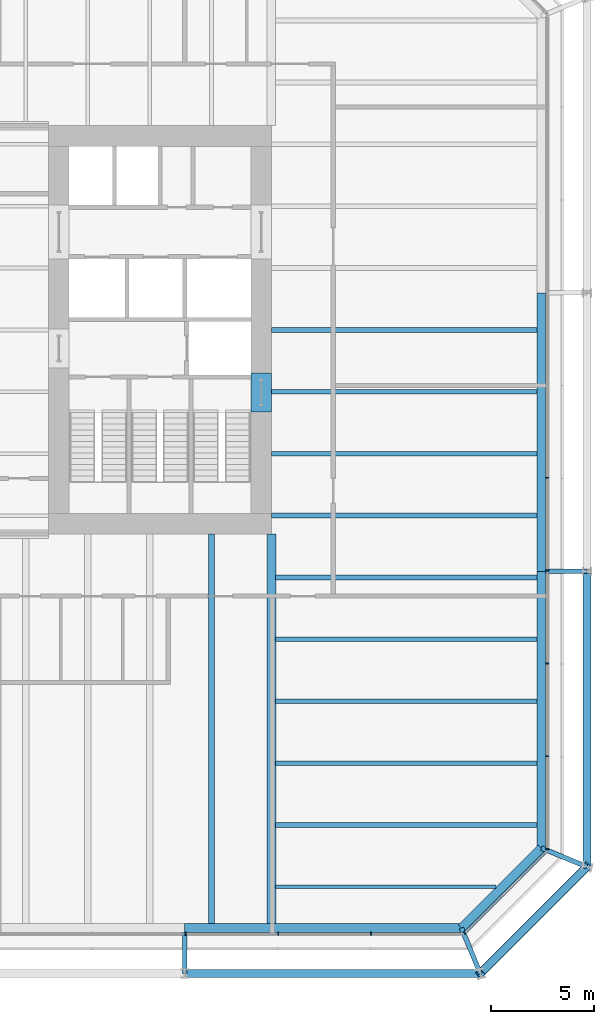
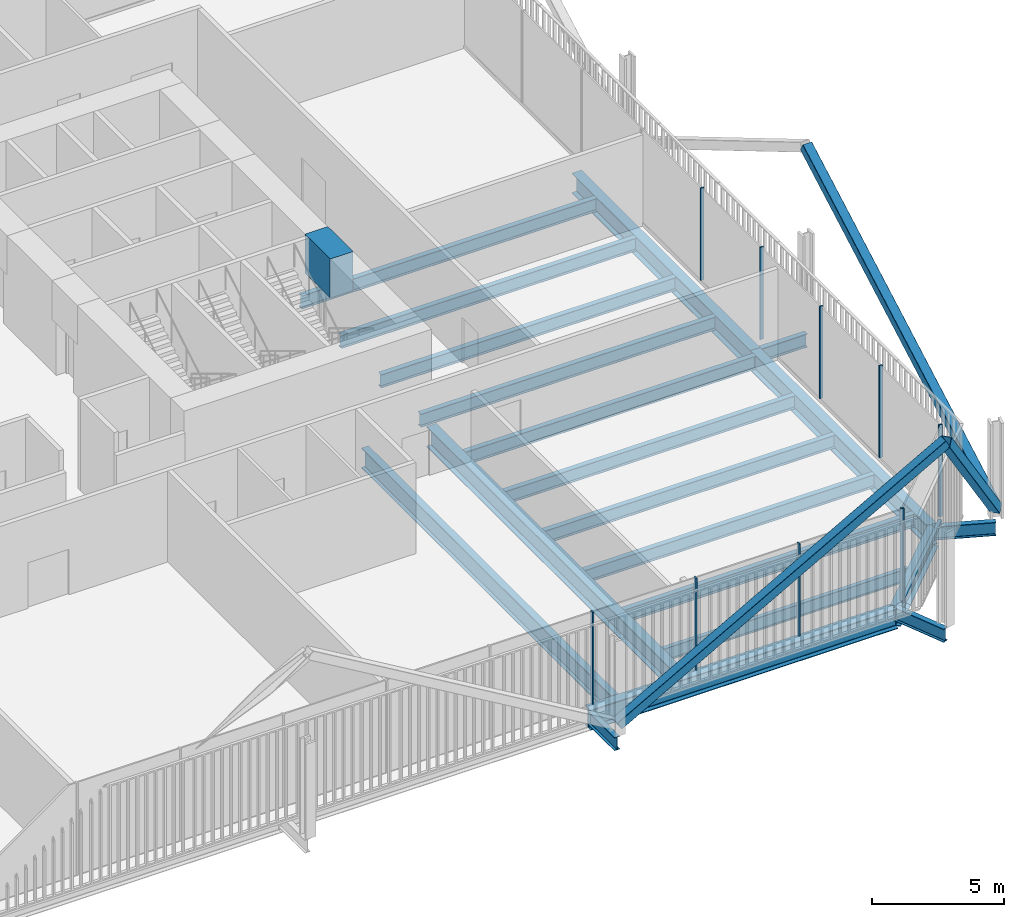
# One storey, part 8 of 21: 21 beams, 13 members, 3 elements without a shape of their own.
"""IFC4 building model written with IfcOpenShell, lengths in metres."""

from ifc_helpers import new_model, si_unit, direction, frame, origin, origin_2d, place, context, subcontext, project, spatial, rectangle, hollow_rectangle, i_section, extrude, material, layer, layer_set, material_profile, profile_set, type_object, element, aggregate, save


model = new_model("IFC4")

# Units and contexts
model_context = context("Model", 3, precision=1e-05, world=origin(), true_north=direction((0.0, 1.0)))
body_context = subcontext(model_context, "Body", "Model", "MODEL_VIEW")
ifc_project = project(units=[si_unit("LENGTHUNIT", "METRE"), si_unit("AREAUNIT", "SQUARE_METRE"), si_unit("VOLUMEUNIT", "CUBIC_METRE"), si_unit("PLANEANGLEUNIT", "RADIAN"), si_unit("MASSUNIT", "GRAM", prefix="KILO")], contexts=[model_context])

# Site, building, storey
site_placement = place(None, origin())
site = spatial("IfcSite", under=ifc_project, at=site_placement, CompositionType="ELEMENT")
building_placement = place(site_placement, origin())
building = spatial("IfcBuilding", under=site, at=building_placement, Name="Millrace Tower", CompositionType="ELEMENT")
storey_placement = place(building_placement, frame((0.0, 0.0, 82.0)))
storey = spatial("IfcBuildingStorey", under=building, at=storey_placement, Name="L18", CompositionType="ELEMENT", Elevation=82.0)

# Curtain wall, members
ifc_material_1 = material(Name="Aluminium and glass", Category="aluminium")
ifc_layer = layer(ifc_material_1, 0.14990234375)
ifc_layer_set = layer_set([ifc_layer], Name="Aluminium and glass")
curtain_wall_type = type_object("IfcCurtainWallType", Name="CW-3 telecom floor curtain wall", PredefinedType="NOTDEFINED", material=ifc_layer_set)
placement = place(storey_placement, origin())
curtain_wall_1 = element("IfcCurtainWall", 1, at=placement, inside=storey, type_object=curtain_wall_type, Name="Curtain wall B-F02 L18", PredefinedType="NOTDEFINED")
ifc_material_2 = material(Name="Aluminium", Category="aluminium")
ifc_material_profile_1 = material_profile(ifc_material_2, rectangle(XDim=0.06494140625, YDim=0.14990234375, at=origin_2d()))
ifc_profile_set_1 = profile_set([ifc_material_profile_1], Name="Aluminium")
member_type_1 = type_object("IfcMemberType", Name="CW-3 telecom floor curtain wall mullion", PredefinedType="MULLION", material=ifc_profile_set_1)
member_1_placement = place(storey_placement, frame((10.732421875, -29.27490234375, 0.14990234375), z_axis=(0.0, 0.0, 1.0), x_axis=(1.0, 0.0, 0.0)))
member_1 = element("IfcMember", 2, at=member_1_placement, type_object=member_type_1, Name="CW3 mullion B-F02.7", PredefinedType="MULLION", context=body_context, shape_type="SweptSolid", body=[
    extrude(rectangle(XDim=0.06494140625, YDim=0.14990234375, at=origin_2d()), origin(), (0.0, 0.0, 1.0), 4.25),
])
member_2_placement = place(storey_placement, frame((15.232421875, -29.27490234375, 0.14990234375), z_axis=(0.0, 0.0, 1.0), x_axis=(1.0, 0.0, 0.0)))
member_2 = element("IfcMember", 3, at=member_2_placement, type_object=member_type_1, Name="CW3 mullion B-F02.8", PredefinedType="MULLION", context=body_context, shape_type="SweptSolid", body=[
    extrude(rectangle(XDim=0.06494140625, YDim=0.14990234375, at=origin_2d()), origin(), (0.0, 0.0, 1.0), 4.25),
])
member_3_placement = place(storey_placement, frame((19.732421875, -29.27490234375, 0.14990234375), z_axis=(0.0, 0.0, 1.0), x_axis=(1.0, 0.0, 0.0)))
member_3 = element("IfcMember", 4, at=member_3_placement, type_object=member_type_1, Name="CW3 mullion B-F02.9", PredefinedType="MULLION", context=body_context, shape_type="SweptSolid", body=[
    extrude(rectangle(XDim=0.06494140625, YDim=0.14990234375, at=origin_2d()), origin(), (0.0, 0.0, 1.0), 4.25),
])
aggregate(curtain_wall_1, [member_1, member_2, member_3])

# Curtain wall, member
curtain_wall_2 = element("IfcCurtainWall", 5, at=placement, inside=storey, type_object=curtain_wall_type, Name="Curtain wall B-F03 L18", PredefinedType="NOTDEFINED")
member_4_placement = place(storey_placement, frame((24.276123046875, -29.22998046875, 0.14990234375), z_axis=(0.0, 0.0, 1.0), x_axis=(0.707106781187, 0.707106781187, 0.0)))
member_4 = element("IfcMember", 6, at=member_4_placement, type_object=member_type_1, Name="CW3 mullion B-F03.1", PredefinedType="MULLION", context=body_context, shape_type="SweptSolid", body=[
    extrude(rectangle(XDim=0.06494140625, YDim=0.14990234375, at=origin_2d()), origin(), (0.0, 0.0, 1.0), 4.25),
])

# Curtain wall, members
curtain_wall_3 = element("IfcCurtainWall", 7, at=placement, inside=storey, type_object=curtain_wall_type, Name="Curtain wall B-F04 L18", PredefinedType="NOTDEFINED")
member_5_placement = place(storey_placement, frame((28.27490234375, -25.16748046875, 0.14990234375), z_axis=(0.0, 0.0, 1.0), x_axis=(0.0, 1.0, 0.0)))
member_5 = element("IfcMember", 8, at=member_5_placement, type_object=member_type_1, Name="CW3 mullion B-F04.1", PredefinedType="MULLION", context=body_context, shape_type="SweptSolid", body=[
    extrude(rectangle(XDim=0.06494140625, YDim=0.14990234375, at=origin_2d()), origin(), (0.0, 0.0, 1.0), 4.25),
])
member_6_placement = place(storey_placement, frame((28.27490234375, -20.66748046875, 0.14990234375), z_axis=(0.0, 0.0, 1.0), x_axis=(0.0, 1.0, 0.0)))
member_6 = element("IfcMember", 9, at=member_6_placement, type_object=member_type_1, Name="CW3 mullion B-F04.2", PredefinedType="MULLION", context=body_context, shape_type="SweptSolid", body=[
    extrude(rectangle(XDim=0.06494140625, YDim=0.14990234375, at=origin_2d()), origin(), (0.0, 0.0, 1.0), 4.25),
])
member_7_placement = place(storey_placement, frame((28.27490234375, -16.16748046875, 0.14990234375), z_axis=(0.0, 0.0, 1.0), x_axis=(0.0, 1.0, 0.0)))
member_7 = element("IfcMember", 10, at=member_7_placement, type_object=member_type_1, Name="CW3 mullion B-F04.3", PredefinedType="MULLION", context=body_context, shape_type="SweptSolid", body=[
    extrude(rectangle(XDim=0.06494140625, YDim=0.14990234375, at=origin_2d()), origin(), (0.0, 0.0, 1.0), 4.25),
])
member_8_placement = place(storey_placement, frame((28.27490234375, -11.66748046875, 0.14990234375), z_axis=(0.0, 0.0, 1.0), x_axis=(0.0, 1.0, 0.0)))
member_8 = element("IfcMember", 11, at=member_8_placement, type_object=member_type_1, Name="CW3 mullion B-F04.4", PredefinedType="MULLION", context=body_context, shape_type="SweptSolid", body=[
    extrude(rectangle(XDim=0.06494140625, YDim=0.14990234375, at=origin_2d()), origin(), (0.0, 0.0, 1.0), 4.25),
])
member_9_placement = place(storey_placement, frame((28.27490234375, -7.16748046875, 0.14990234375), z_axis=(0.0, 0.0, 1.0), x_axis=(0.0, 1.0, 0.0)))
member_9 = element("IfcMember", 12, at=member_9_placement, type_object=member_type_1, Name="CW3 mullion B-F04.5", PredefinedType="MULLION", context=body_context, shape_type="SweptSolid", body=[
    extrude(rectangle(XDim=0.06494140625, YDim=0.14990234375, at=origin_2d()), origin(), (0.0, 0.0, 1.0), 4.25),
])
aggregate(curtain_wall_3, [member_5, member_6, member_7, member_8, member_9])

# Member
ifc_material_3 = material(Name="Aluminium", Category="aluminium")
ifc_material_profile_2 = material_profile(ifc_material_3, rectangle(XDim=0.14990234375, YDim=0.14990234375, at=origin_2d()))
ifc_profile_set_2 = profile_set([ifc_material_profile_2], Name="Aluminium")
member_type_2 = type_object("IfcMemberType", Name="CW-3 telecom floor curtain wall transom", PredefinedType="USERDEFINED", material=ifc_profile_set_2)
member_10_placement = place(storey_placement, frame((24.32373046875, -29.182373046875, 0.074951171875), z_axis=(0.707106781187, 0.707106781187, 0.0), x_axis=(-0.707106781187, 0.707106781187, 0.0)))
member_10 = element("IfcMember", 13, at=member_10_placement, type_object=member_type_2, Name="CW3 transom B-F03.1", ObjectType="TRANSOM", PredefinedType="USERDEFINED", context=body_context, shape_type="SweptSolid", body=[
    extrude(rectangle(XDim=0.14990234375, YDim=0.14990234375, at=origin_2d()), origin(), (0.0, 0.0, 1.0), 5.45703125),
])

aggregate(curtain_wall_2, [member_4, member_10])

# Beam
ifc_material_4 = material(Name="Concrete C80", Category="concrete")
ifc_material_profile_3 = material_profile(ifc_material_4, rectangle(XDim=1.0, YDim=1.800048828125, at=origin_2d()))
ifc_profile_set_3 = profile_set([ifc_material_profile_3], Name="Concrete C80")
beam_type_1 = type_object("IfcBeamType", Name="Coupling beam 1000 x 1800 Concrete C80, 1300 opening", PredefinedType="BEAM", material=ifc_profile_set_3)
beam_1_placement = place(storey_placement, frame((14.39990234375, -2.080078125, 3.300048828125), z_axis=(0.0, -1.0, 0.0), x_axis=(1.0, 0.0, 0.0)))
element("IfcBeam", 14, at=beam_1_placement, inside=storey, type_object=beam_type_1, Name="Coupling beam E L18", PredefinedType="BEAM", context=body_context, shape_type="SweptSolid", body=[
    extrude(rectangle(XDim=1.0, YDim=1.800048828125, at=origin_2d()), origin(), (0.0, 0.0, 1.0), 1.89990234375),
])

# Members
ifc_material_5 = material(Name="Steel ASTM A500 Grade C", Category="steel")
ifc_material_profile_4 = material_profile(ifc_material_5, hollow_rectangle(XDim=0.406494140625, YDim=0.406494140625, WallThickness=0.015869140625, InnerFilletRadius=0.008056640625, OuterFilletRadius=0.02392578125, at=origin_2d()))
ifc_profile_set_4 = profile_set([ifc_material_profile_4], Name="Steel ASTM A500 Grade C")
member_type_3 = type_object("IfcMemberType", Name="Exoskeleton brace HSS16x16x5/8", PredefinedType="BRACE", material=ifc_profile_set_4)
member_11_placement = place(storey_placement, frame((10.699951171875, -31.199951171875, 0.39990234375), z_axis=(0.873125840427, 0.0, 0.487494888976), x_axis=(0.0, 1.0, 0.0)))
element("IfcMember", 15, at=member_11_placement, inside=storey, type_object=member_type_3, Name="BRC-B-L18-04", PredefinedType="BRACE", context=body_context, shape_type="SweptSolid", body=[
    extrude(hollow_rectangle(XDim=0.406494140625, YDim=0.406494140625, WallThickness=0.015869140625, InnerFilletRadius=0.008056640625, OuterFilletRadius=0.02392578125, at=origin_2d()), origin(), (0.0, 0.0, 1.0), 16.410400390625),
])
member_12_placement = place(storey_placement, frame((30.199951171875, -26.0283203125, 0.39990234375), z_axis=(-0.477116280189, -0.477116280189, 0.738051563482), x_axis=(0.707106781187, -0.707106781187, 0.0)))
element("IfcMember", 16, at=member_12_placement, inside=storey, type_object=member_type_3, Name="BRC-B-L18-05", PredefinedType="BRACE", context=body_context, shape_type="SweptSolid", body=[
    extrude(hollow_rectangle(XDim=0.406494140625, YDim=0.406494140625, WallThickness=0.015869140625, InnerFilletRadius=0.008056640625, OuterFilletRadius=0.02392578125, at=origin_2d()), origin(), (0.0, 0.0, 1.0), 10.83935546875),
])
member_13_placement = place(storey_placement, frame((30.199951171875, -26.0283203125, 0.39990234375), z_axis=(0.0, 0.873125840427, 0.487494888976), x_axis=(-1.0, 0.0, 0.0)))
element("IfcMember", 17, at=member_13_placement, inside=storey, type_object=member_type_3, Name="BRC-B-L18-06", PredefinedType="BRACE", context=body_context, shape_type="SweptSolid", body=[
    extrude(hollow_rectangle(XDim=0.406494140625, YDim=0.406494140625, WallThickness=0.015869140625, InnerFilletRadius=0.008056640625, OuterFilletRadius=0.02392578125, at=origin_2d()), origin(), (0.0, 0.0, 1.0), 16.410400390625),
])

# Beams
ifc_material_6 = material(Name="Steel ASTM A992 Grade 50", Category="steel")
ifc_material_profile_5 = material_profile(ifc_material_6, i_section(OverallWidth=0.1787109375, OverallDepth=0.60205078125, WebThickness=0.010986328125, FlangeThickness=0.014892578125, FilletRadius=0.0126953125, at=origin_2d()))
ifc_profile_set_5 = profile_set([ifc_material_profile_5], Name="Steel ASTM A992 Grade 50")
beam_type_2 = type_object("IfcBeamType", Name="Floor beam W24x62", PredefinedType="JOIST", material=ifc_profile_set_5)
beam_2_placement = place(storey_placement, frame((15.11083984375, -27.0, -0.5009765625), z_axis=(1.0, 0.0, 0.0), x_axis=(0.0, 1.0, 0.0)))
element("IfcBeam", 18, at=beam_2_placement, inside=storey, type_object=beam_type_2, Name="BM-B-L18-S1-S002", PredefinedType="JOIST", context=body_context, shape_type="SweptSolid", body=[
    extrude(i_section(OverallWidth=0.1787109375, OverallDepth=0.60205078125, WebThickness=0.010986328125, FlangeThickness=0.014892578125, FilletRadius=0.0126953125, at=origin_2d()), origin(), (0.0, 0.0, 1.0), 10.67236328125),
])
ifc_material_7 = material(Name="Steel ASTM A992 Grade 50", Category="steel")
ifc_material_profile_6 = material_profile(ifc_material_7, i_section(OverallWidth=0.228271484375, OverallDepth=0.607177734375, WebThickness=0.01123046875, FlangeThickness=0.017333984375, FilletRadius=0.0126953125, at=origin_2d()))
ifc_profile_set_6 = profile_set([ifc_material_profile_6], Name="Steel ASTM A992 Grade 50")
beam_type_3 = type_object("IfcBeamType", Name="Floor beam W24x76", PredefinedType="JOIST", material=ifc_profile_set_6)
for number, where, z_axis, x_axis, name in (
    (19, (15.11083984375, -24.0, -0.50341796875), (1.0, 0.0, 0.0), (0.0, 1.0, 0.0), "BM-B-L18-S1-S004"),
    (20, (15.11083984375, -21.0, -0.50341796875), (1.0, 0.0, 0.0), (0.0, 1.0, 0.0), "BM-B-L18-S1-S006"),
    (21, (15.11083984375, -18.0, -0.50341796875), (1.0, 0.0, 0.0), (0.0, 1.0, 0.0), "BM-B-L18-S1-S008"),
    (22, (15.11083984375, -15.0, -0.50341796875), (1.0, 0.0, 0.0), (0.0, 1.0, 0.0), "BM-B-L18-S1-S010"),
    (23, (15.11083984375, -12.0, -0.50341796875), (1.0, 0.0, 0.0), (0.0, 1.0, 0.0), "BM-B-L18-S1-S012"),
):
    element("IfcBeam", number, at=place(storey_placement, frame(where, z_axis=z_axis, x_axis=x_axis)), inside=storey, type_object=beam_type_3, Name=name, PredefinedType="JOIST", context=body_context, shape_type="SweptSolid", body=[
        extrude(i_section(OverallWidth=0.228271484375, OverallDepth=0.607177734375, WebThickness=0.01123046875, FlangeThickness=0.017333984375, FilletRadius=0.0126953125, at=origin_2d()), origin(), (0.0, 0.0, 1.0), 12.670166015625),
    ])
for number, where, z_axis, x_axis, name in (
    (24, (14.89990234375, -9.0, -0.50341796875), (1.0, 0.0, 0.0), (0.0, 1.0, 0.0), "BM-B-L18-S1-S015"),
    (25, (14.89990234375, -6.0, -0.50341796875), (1.0, 0.0, 0.0), (0.0, 1.0, 0.0), "BM-B-L18-S1-S018"),
    (26, (14.89990234375, -3.0, -0.50341796875), (1.0, 0.0, 0.0), (0.0, 1.0, 0.0), "BM-B-L18-S1-S021"),
    (27, (14.89990234375, 0.0, -0.50341796875), (1.0, 0.0, 0.0), (0.0, 1.0, 0.0), "BM-B-L18-S1-S024"),
):
    element("IfcBeam", number, at=place(storey_placement, frame(where, z_axis=z_axis, x_axis=x_axis)), inside=storey, type_object=beam_type_3, Name=name, PredefinedType="JOIST", context=body_context, shape_type="SweptSolid", body=[
        extrude(i_section(OverallWidth=0.228271484375, OverallDepth=0.607177734375, WebThickness=0.01123046875, FlangeThickness=0.017333984375, FilletRadius=0.0126953125, at=origin_2d()), origin(), (0.0, 0.0, 1.0), 12.881103515625),
    ])
ifc_material_8 = material(Name="Steel ASTM A992 Grade 50", Category="steel")
ifc_material_profile_7 = material_profile(ifc_material_8, i_section(OverallWidth=0.307373046875, OverallDepth=0.927001953125, WebThickness=0.01953125, FlangeThickness=0.031982421875, FilletRadius=0.01904296875, at=origin_2d()))
ifc_profile_set_7 = profile_set([ifc_material_profile_7], Name="Steel ASTM A992 Grade 50")
beam_type_4 = type_object("IfcBeamType", Name="Floor beam W36x194", PredefinedType="JOIST", material=ifc_profile_set_7)
beam_3_placement = place(storey_placement, frame((12.0, -28.781005859375, -0.66357421875), z_axis=(0.0, 1.0, 0.0), x_axis=(-1.0, 0.0, 0.0)))
element("IfcBeam", 28, at=beam_3_placement, inside=storey, type_object=beam_type_4, Name="BM-B-L18-S1-S057", PredefinedType="JOIST", context=body_context, shape_type="SweptSolid", body=[
    extrude(i_section(OverallWidth=0.307373046875, OverallDepth=0.927001953125, WebThickness=0.01953125, FlangeThickness=0.031982421875, FilletRadius=0.01904296875, at=origin_2d()), origin(), (0.0, 0.0, 1.0), 18.881103515625),
])
ifc_material_9 = material(Name="Steel ASTM A992 Grade 50", Category="steel")
ifc_material_profile_8 = material_profile(ifc_material_9, i_section(OverallWidth=0.424072265625, OverallDepth=0.947509765625, WebThickness=0.02392578125, FlangeThickness=0.042724609375, FilletRadius=0.024169921875, at=origin_2d()))
ifc_profile_set_8 = profile_set([ifc_material_profile_8], Name="Steel ASTM A992 Grade 50")
beam_type_5 = type_object("IfcBeamType", Name="Girder medium span W36x302", PredefinedType="BEAM", material=ifc_profile_set_8)
beam_4_placement = place(storey_placement, frame((14.89990234375, -28.781005859375, -0.673828125), z_axis=(0.0, 1.0, 0.0), x_axis=(-1.0, 0.0, 0.0)))
element("IfcBeam", 29, at=beam_4_placement, inside=storey, type_object=beam_type_5, Name="BM-B-L18-S1-G061", PredefinedType="BEAM", context=body_context, shape_type="SweptSolid", body=[
    extrude(i_section(OverallWidth=0.424072265625, OverallDepth=0.947509765625, WebThickness=0.02392578125, FlangeThickness=0.042724609375, FilletRadius=0.024169921875, at=origin_2d()), origin(), (0.0, 0.0, 1.0), 18.881103515625),
])
ifc_material_10 = material(Name="Steel ASTM A992 Grade 50", Category="steel")
ifc_material_profile_9 = material_profile(ifc_material_10, i_section(OverallWidth=0.23046875, OverallDepth=0.6171875, WebThickness=0.01318359375, FlangeThickness=0.022216796875, FilletRadius=0.012939453125, at=origin_2d()))
ifc_profile_set_9 = profile_set([ifc_material_profile_9], Name="Steel ASTM A992 Grade 50")
beam_type_6 = type_object("IfcBeamType", Name="Link beam W24x94", PredefinedType="BEAM", material=ifc_profile_set_9)
beam_5_placement = place(storey_placement, frame((28.199951171875, -11.699951171875, -0.508544921875), z_axis=(1.0, 0.0, 0.0), x_axis=(0.0, 1.0, 0.0)))
element("IfcBeam", 30, at=beam_5_placement, inside=storey, type_object=beam_type_6, Name="LNK-B-L18-S1-11", PredefinedType="BEAM", context=body_context, shape_type="SweptSolid", body=[
    extrude(i_section(OverallWidth=0.23046875, OverallDepth=0.6171875, WebThickness=0.01318359375, FlangeThickness=0.022216796875, FilletRadius=0.012939453125, at=origin_2d()), origin(), (0.0, 0.0, 1.0), 2.0),
])
for number, where, z_axis, x_axis, name in (
    (31, (27.990478515625, -25.11328125, -0.508544921875), (0.923902368833, -0.382628295954, 0.0), (0.382628295954, 0.923902368833, 0.0), "LNK-B-L18-S1-12"),
    (32, (24.11328125, -28.990478515625, -0.508544921875), (0.382628295954, -0.923902368833, 0.0), (0.923902368833, 0.382628295954, 0.0), "LNK-B-L18-S1-13"),
):
    element("IfcBeam", number, at=place(storey_placement, frame(where, z_axis=z_axis, x_axis=x_axis)), inside=storey, type_object=beam_type_6, Name=name, PredefinedType="BEAM", context=body_context, shape_type="SweptSolid", body=[
        extrude(i_section(OverallWidth=0.23046875, OverallDepth=0.6171875, WebThickness=0.01318359375, FlangeThickness=0.022216796875, FilletRadius=0.012939453125, at=origin_2d()), origin(), (0.0, 0.0, 1.0), 2.391357421875),
    ])
beam_6_placement = place(storey_placement, frame((10.699951171875, -29.199951171875, -0.508544921875), z_axis=(0.0, -1.0, 0.0), x_axis=(1.0, 0.0, 0.0)))
element("IfcBeam", 33, at=beam_6_placement, inside=storey, type_object=beam_type_6, Name="LNK-B-L18-S1-14", PredefinedType="BEAM", context=body_context, shape_type="SweptSolid", body=[
    extrude(i_section(OverallWidth=0.23046875, OverallDepth=0.6171875, WebThickness=0.01318359375, FlangeThickness=0.022216796875, FilletRadius=0.012939453125, at=origin_2d()), origin(), (0.0, 0.0, 1.0), 2.0),
])
ifc_material_11 = material(Name="Steel ASTM A992 Grade 50", Category="steel")
ifc_material_profile_10 = material_profile(ifc_material_11, i_section(OverallWidth=0.419189453125, OverallDepth=0.927001953125, WebThickness=0.019287109375, FlangeThickness=0.031982421875, FilletRadius=0.024169921875, at=origin_2d()))
ifc_profile_set_10 = profile_set([ifc_material_profile_10], Name="Steel ASTM A992 Grade 50")
beam_type_7 = type_object("IfcBeamType", Name="Ring beam medium span W36x231", PredefinedType="SPANDREL", material=ifc_profile_set_10)
beam_7_placement = place(storey_placement, frame((27.990478515625, 1.800048828125, -0.66357421875), z_axis=(0.0, -1.0, 0.0), x_axis=(1.0, 0.0, 0.0)))
element("IfcBeam", 34, at=beam_7_placement, inside=storey, type_object=beam_type_7, Name="RNG-B-L18-S1-10", PredefinedType="SPANDREL", context=body_context, shape_type="SweptSolid", body=[
    extrude(i_section(OverallWidth=0.419189453125, OverallDepth=0.927001953125, WebThickness=0.019287109375, FlangeThickness=0.031982421875, FilletRadius=0.024169921875, at=origin_2d()), origin(), (0.0, 0.0, 1.0), 13.5),
])
for number, where, z_axis, x_axis, name in (
    (35, (27.990478515625, -11.699951171875, -0.66357421875), (0.0, -1.0, 0.0), (1.0, 0.0, 0.0), "RNG-B-L18-S1-11"),
    (36, (24.11328125, -28.990478515625, -0.66357421875), (-1.0, 0.0, 0.0), (0.0, -1.0, 0.0), "RNG-B-L18-S1-13"),
):
    element("IfcBeam", number, at=place(storey_placement, frame(where, z_axis=z_axis, x_axis=x_axis)), inside=storey, type_object=beam_type_7, Name=name, PredefinedType="SPANDREL", context=body_context, shape_type="SweptSolid", body=[
        extrude(i_section(OverallWidth=0.419189453125, OverallDepth=0.927001953125, WebThickness=0.019287109375, FlangeThickness=0.031982421875, FilletRadius=0.024169921875, at=origin_2d()), origin(), (0.0, 0.0, 1.0), 13.413330078125),
    ])
ifc_material_12 = material(Name="Steel ASTM A992 Grade 50", Category="steel")
ifc_material_profile_11 = material_profile(ifc_material_12, i_section(OverallWidth=0.419189453125, OverallDepth=0.927001953125, WebThickness=0.019287109375, FlangeThickness=0.031982421875, FilletRadius=0.024169921875, at=origin_2d()))
ifc_profile_set_11 = profile_set([ifc_material_profile_11], Name="Steel ASTM A992 Grade 50")
beam_type_8 = type_object("IfcBeamType", Name="Ring beam short span W36x231", PredefinedType="SPANDREL", material=ifc_profile_set_11)
beam_8_placement = place(storey_placement, frame((27.990478515625, -25.11328125, -0.66357421875), z_axis=(-0.707106781187, -0.707106781187, 0.0), x_axis=(0.707106781187, -0.707106781187, 0.0)))
element("IfcBeam", 37, at=beam_8_placement, inside=storey, type_object=beam_type_8, Name="RNG-B-L18-S1-12", PredefinedType="SPANDREL", context=body_context, shape_type="SweptSolid", body=[
    extrude(i_section(OverallWidth=0.419189453125, OverallDepth=0.927001953125, WebThickness=0.019287109375, FlangeThickness=0.031982421875, FilletRadius=0.024169921875, at=origin_2d()), origin(), (0.0, 0.0, 1.0), 5.483154296875),
])

save(model, "model.ifc")
